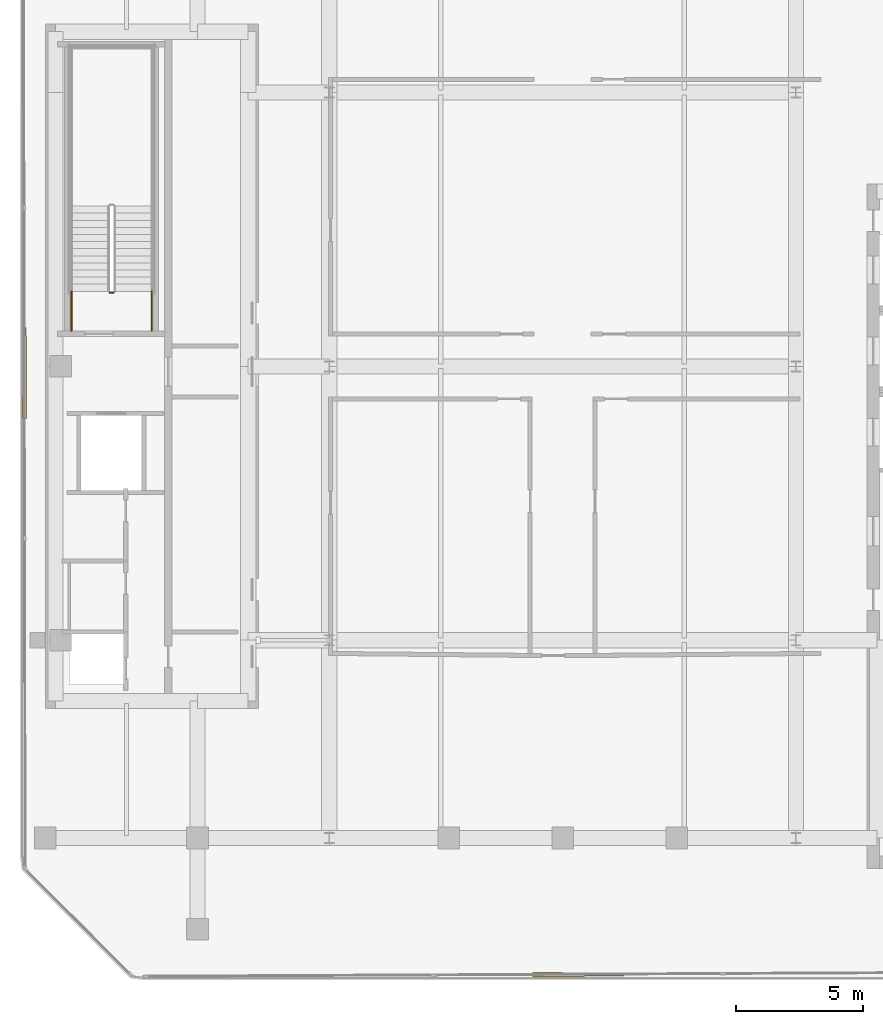
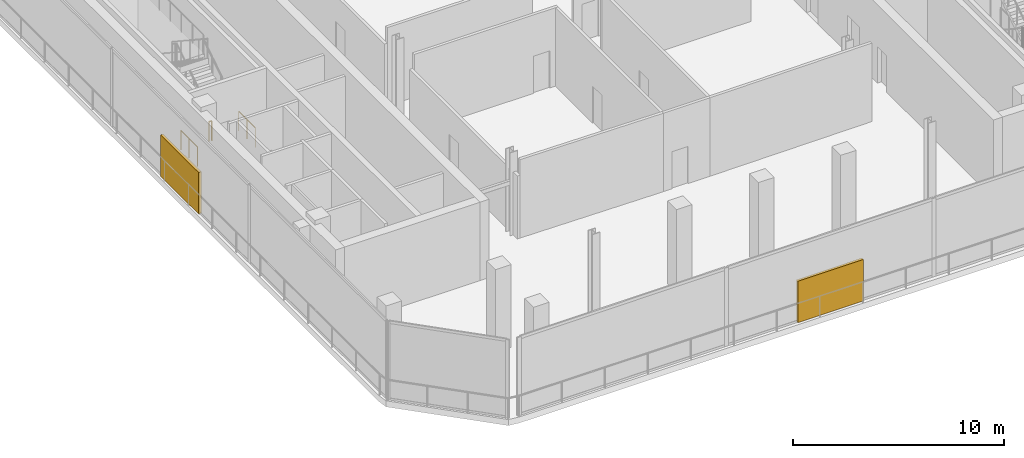
# One storey, part 9 of 13: 3 railings, 2 shading devices.
"""IFC4 building model written with IfcOpenShell, lengths in metres."""

from ifc_helpers import new_model, si_unit, direction, frame, origin, origin_2d, place, context, subcontext, project, spatial, rectangle, circle, extrude, material, layer, layer_set, type_object, element, save


model = new_model("IFC4")

# Units and contexts
model_context = context("Model", 3, precision=1e-05, world=origin(), true_north=direction((0.0, 1.0)))
body_context = subcontext(model_context, "Body", "Model", "MODEL_VIEW")
ifc_project = project(units=[si_unit("LENGTHUNIT", "METRE"), si_unit("AREAUNIT", "SQUARE_METRE"), si_unit("VOLUMEUNIT", "CUBIC_METRE"), si_unit("PLANEANGLEUNIT", "RADIAN"), si_unit("MASSUNIT", "GRAM", prefix="KILO")], contexts=[model_context])

# Site, building, storey
site_placement = place(None, origin())
site = spatial("IfcSite", under=ifc_project, at=site_placement, CompositionType="ELEMENT")
building_placement = place(site_placement, origin())
building = spatial("IfcBuilding", under=site, at=building_placement, Name="Khairoan Windgate Tower", CompositionType="ELEMENT")
storey_placement = place(building_placement, frame((0.0, 0.0, 272.800048828125)))
storey = spatial("IfcBuildingStorey", under=building, at=storey_placement, Name="L65", CompositionType="ELEMENT", Elevation=272.800048828125)

# Shading devices
ifc_material_1 = material(Name="Anodised Bronze Aluminium 6063-T6", Category="aluminium")
ifc_layer = layer(ifc_material_1, 0.14990234375, Name="Anodised Bronze Aluminium 6063-T6")
ifc_layer_set = layer_set([ifc_layer], Name="Anodised Bronze Aluminium 6063-T6")
shading_device_type = type_object("IfcShadingDeviceType", Name="Acoustic Bronze Plant Weather Louvre BWL-1", PredefinedType="JALOUSIE", material=ifc_layer_set)
for number, where, z_axis, x_axis, name in (
    (1, (0.620361328125, -23.978271484375, 0.0), (0.0, 0.0, 1.0), (-0.999988896716, -0.004712371539, 0.0), "L65 Acoustic Bronze Plant Louvre 0"),
    (2, (-21.225830078125, -0.259765625, 0.0), (0.0, 0.0, 1.0), (-0.001745328366, 0.999998476913, 0.0), "L65 Acoustic Bronze Plant Louvre 3"),
):
    element("IfcShadingDevice", number, at=place(storey_placement, frame(where, z_axis=z_axis, x_axis=x_axis)), inside=storey, type_object=shading_device_type, Name=name, PredefinedType="JALOUSIE", context=body_context, shape_type="SweptSolid", body=[
        extrude(rectangle(XDim=3.60009765625, YDim=0.14990234375, at=origin_2d()), origin(), (0.0, 0.0, 1.0), 2.39990234375),
    ])

# Railings
ifc_material_2 = material(Name="Steel S355", Category="steel")
railing_type = type_object("IfcRailingType", Name="Stairwell Safety Guardrail SGR-1150", PredefinedType="GUARDRAIL", material=ifc_material_2)
railing_placement = place(storey_placement, frame((-17.7099609375, 2.909912109375, 0.0)))
element("IfcRailing", 3, at=railing_placement, inside=storey, type_object=railing_type, Name="L65 ST2 stair guard 7", PredefinedType="GUARDRAIL", context=body_context, shape_type="SweptSolid", body=[
    extrude(circle(Radius=0.02392578125, at=origin_2d()), frame((0.0, 0.0, 1.1259765625), z_axis=(-1.0, 0.0, 0.0), x_axis=(0.0, -1.0, 0.0)), (0.0, 0.0, 1.0), 0.150146484375),
    extrude(circle(Radius=0.02099609375, at=origin_2d()), origin(), (0.0, 0.0, 1.0), 1.101806640625),
    extrude(circle(Radius=0.02099609375, at=origin_2d()), frame((-0.150146484375, 0.0, 0.0)), (0.0, 0.0, 1.0), 1.101806640625),
])
for number, where, name in (
    (4, (-16.199951171875, 1.39990234375, 0.0), "L65 ST2 stair guard 8"),
    (5, (-19.3701171875, 1.39990234375, 0.0), "L65 ST2 stair guard 9"),
):
    element("IfcRailing", number, at=place(storey_placement, frame(where)), inside=storey, type_object=railing_type, Name=name, PredefinedType="GUARDRAIL", context=body_context, shape_type="SweptSolid", body=[
        extrude(circle(Radius=0.02392578125, at=origin_2d()), frame((0.0, 0.0, 1.1259765625), z_axis=(0.0, 1.0, 0.0), x_axis=(-1.0, 0.0, 0.0)), (0.0, 0.0, 1.0), 1.56005859375),
        extrude(circle(Radius=0.02099609375, at=origin_2d()), origin(), (0.0, 0.0, 1.0), 1.101806640625),
        extrude(circle(Radius=0.02099609375, at=origin_2d()), frame((0.0, 0.780029296875, 0.0)), (0.0, 0.0, 1.0), 1.101806640625),
        extrude(circle(Radius=0.02099609375, at=origin_2d()), frame((0.0, 1.56005859375, 0.0)), (0.0, 0.0, 1.0), 1.101806640625),
    ])

save(model, "model.ifc")
